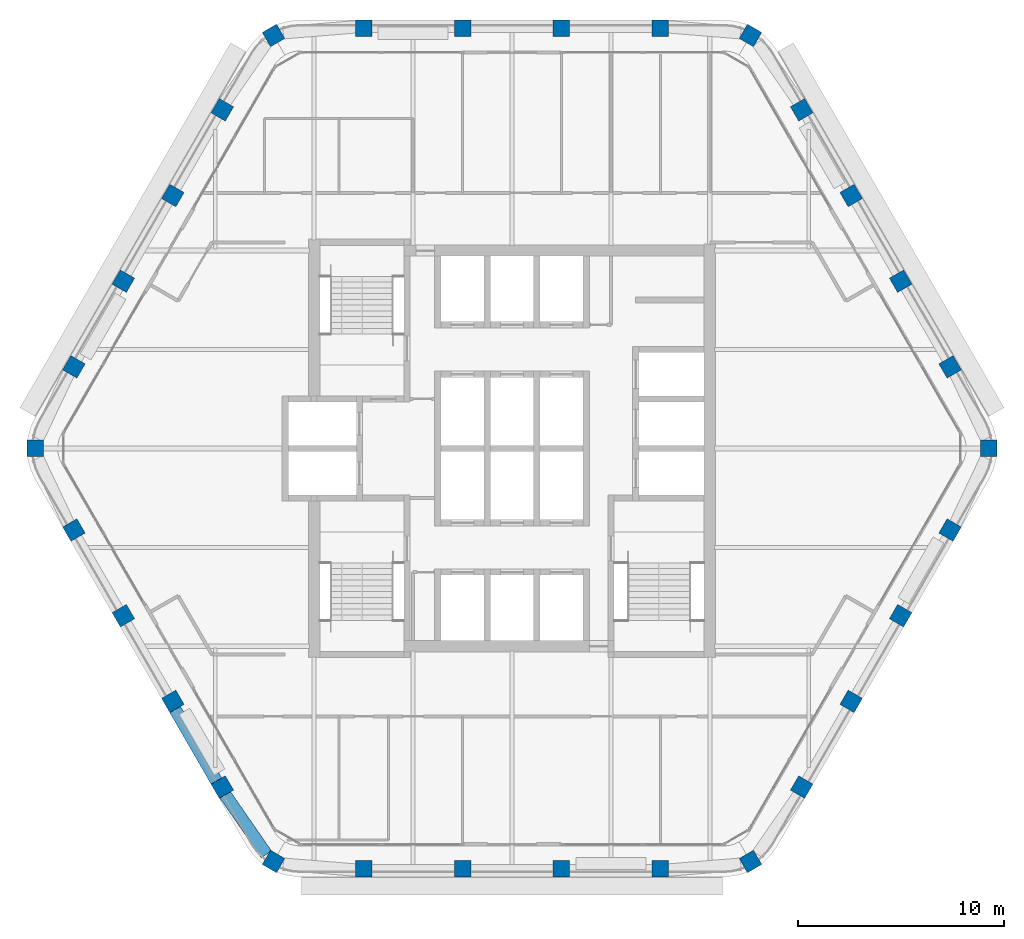
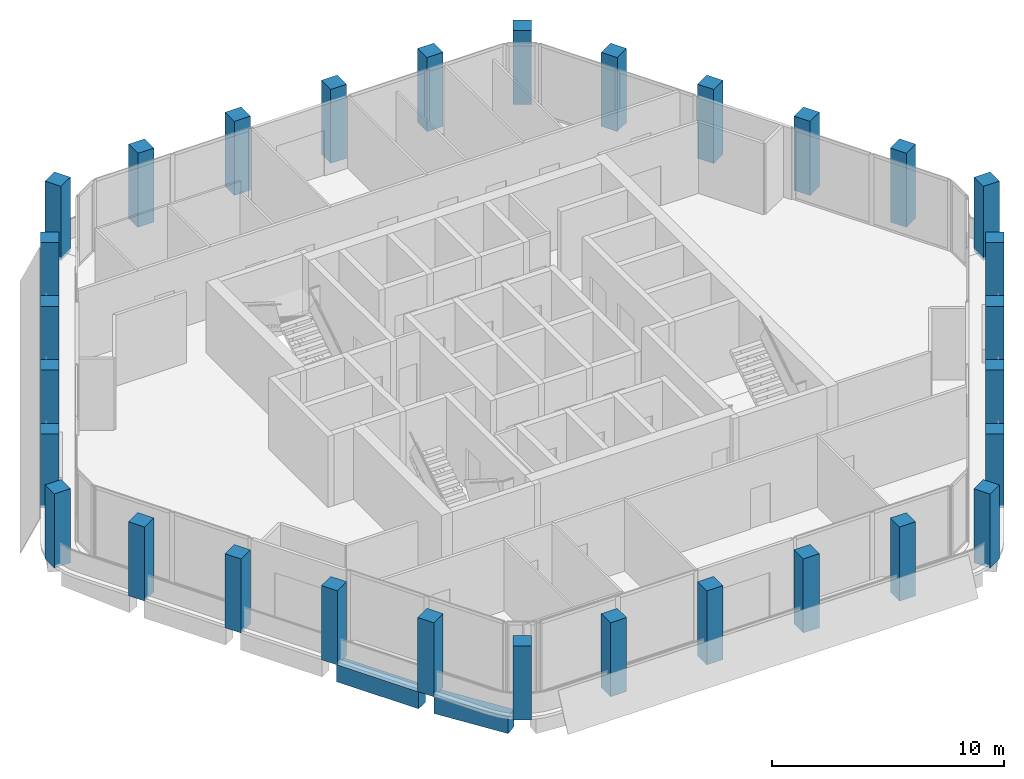
# One storey, part 1 of 13: 30 columns, 2 beams.
"""IFC4 building model written with IfcOpenShell, lengths in metres."""

from ifc_helpers import new_model, si_unit, direction, frame, origin, origin_2d, place, context, subcontext, project, spatial, rectangle, extrude, material, material_profile, profile_set, type_object, element, save


model = new_model("IFC4")

# Units and contexts
model_context = context("Model", 3, precision=1e-05, world=origin(), true_north=direction((0.0, 1.0)))
body_context = subcontext(model_context, "Body", "Model", "MODEL_VIEW")
ifc_project = project(units=[si_unit("LENGTHUNIT", "METRE"), si_unit("AREAUNIT", "SQUARE_METRE"), si_unit("VOLUMEUNIT", "CUBIC_METRE"), si_unit("PLANEANGLEUNIT", "RADIAN"), si_unit("MASSUNIT", "GRAM", prefix="KILO")], contexts=[model_context])

# Site, building, storey
site_placement = place(None, origin())
site = spatial("IfcSite", under=ifc_project, at=site_placement, CompositionType="ELEMENT")
building_placement = place(site_placement, origin())
building = spatial("IfcBuilding", under=site, at=building_placement, Name="Kolab Exchange Tower", CompositionType="ELEMENT")
storey_placement = place(building_placement, frame((0.0, 0.0, 226.699951171875)))
storey = spatial("IfcBuildingStorey", under=building, at=storey_placement, Name="L49", CompositionType="ELEMENT", Elevation=226.699951171875)

# Columns
ifc_material = material(Name="Concrete C50/60", Category="concrete")
ifc_material_profile_1 = material_profile(ifc_material, rectangle(XDim=0.800048828125, YDim=0.800048828125, at=origin_2d()), Name="RC800")
ifc_profile_set_1 = profile_set([ifc_material_profile_1], Name="Concrete C50/60")
column_type = type_object("IfcColumnType", Name="PERIMETER COLUMN 800 SQ C50/60", PredefinedType="COLUMN", material=ifc_profile_set_1)
for number, where, z_axis, x_axis, name in (
    (1, (-11.56787109375, 20.036376953125, -0.14990234375), (0.0, 0.0, 1.0), (0.866025403784, 0.5, 0.0), "col/L49/F1-01"),
    (2, (-7.199951171875, 20.384521484375, -0.14990234375), (0.0, 0.0, 1.0), (1.0, 0.0, 0.0), "col/L49/F1-02"),
    (3, (-2.39990234375, 20.384521484375, -0.14990234375), (0.0, 0.0, 1.0), (1.0, 0.0, 0.0), "col/L49/F1-03"),
    (4, (2.39990234375, 20.384521484375, -0.14990234375), (0.0, 0.0, 1.0), (1.0, 0.0, 0.0), "col/L49/F1-04"),
    (5, (7.199951171875, 20.384521484375, -0.14990234375), (0.0, 0.0, 1.0), (1.0, 0.0, 0.0), "col/L49/F1-05"),
    (6, (11.56787109375, 20.036376953125, -0.14990234375), (0.0, 0.0, 1.0), (0.5, 0.866025403784, 0.0), "col/L49/F2-01"),
    (7, (14.0537109375, 16.427734375, -0.14990234375), (0.0, 0.0, 1.0), (0.866025403784, 0.5, 0.0), "col/L49/F2-02"),
    (8, (16.45361328125, 12.270751953125, -0.14990234375), (0.0, 0.0, 1.0), (0.866025403784, 0.5, 0.0), "col/L49/F2-03"),
    (9, (18.853515625, 8.11376953125, -0.14990234375), (0.0, 0.0, 1.0), (0.866025403784, 0.5, 0.0), "col/L49/F2-04"),
    (10, (21.253662109375, 3.95703125, -0.14990234375), (0.0, 0.0, 1.0), (0.866025403784, 0.5, 0.0), "col/L49/F2-05"),
    (11, (23.135986328125, 0.0, -0.14990234375), (0.0, 0.0, 1.0), (1.0, 0.0, 0.0), "col/L49/F3-01"),
    (12, (21.253662109375, -3.95703125, -0.14990234375), (0.0, 0.0, 1.0), (0.5, 0.866025403784, 0.0), "col/L49/F3-02"),
    (13, (18.853515625, -8.11376953125, -0.14990234375), (0.0, 0.0, 1.0), (0.5, 0.866025403784, 0.0), "col/L49/F3-03"),
    (14, (16.45361328125, -12.270751953125, -0.14990234375), (0.0, 0.0, 1.0), (0.5, 0.866025403784, 0.0), "col/L49/F3-04"),
    (15, (14.0537109375, -16.427734375, -0.14990234375), (0.0, 0.0, 1.0), (0.5, 0.866025403784, 0.0), "col/L49/F3-05"),
    (16, (11.56787109375, -20.036376953125, -0.14990234375), (0.0, 0.0, 1.0), (0.866025403784, 0.5, 0.0), "col/L49/F4-01"),
    (17, (7.199951171875, -20.384521484375, -0.14990234375), (0.0, 0.0, 1.0), (1.0, 0.0, 0.0), "col/L49/F4-02"),
    (18, (2.39990234375, -20.384521484375, -0.14990234375), (0.0, 0.0, 1.0), (1.0, 0.0, 0.0), "col/L49/F4-03"),
    (19, (-2.39990234375, -20.384521484375, -0.14990234375), (0.0, 0.0, 1.0), (1.0, 0.0, 0.0), "col/L49/F4-04"),
    (20, (-7.199951171875, -20.384521484375, -0.14990234375), (0.0, 0.0, 1.0), (1.0, 0.0, 0.0), "col/L49/F4-05"),
    (21, (-11.56787109375, -20.036376953125, -0.14990234375), (0.0, 0.0, 1.0), (0.5, 0.866025403784, 0.0), "col/L49/F5-01"),
    (22, (-14.0537109375, -16.427734375, -0.14990234375), (0.0, 0.0, 1.0), (0.866025403784, 0.5, 0.0), "col/L49/F5-02"),
    (23, (-16.45361328125, -12.270751953125, -0.14990234375), (0.0, 0.0, 1.0), (0.866025403784, 0.5, 0.0), "col/L49/F5-03"),
    (24, (-18.853515625, -8.11376953125, -0.14990234375), (0.0, 0.0, 1.0), (0.866025403784, 0.5, 0.0), "col/L49/F5-04"),
    (25, (-21.253662109375, -3.95703125, -0.14990234375), (0.0, 0.0, 1.0), (0.866025403784, 0.5, 0.0), "col/L49/F5-05"),
    (26, (-23.135986328125, 0.0, -0.14990234375), (0.0, 0.0, 1.0), (1.0, 0.0, 0.0), "col/L49/F6-01"),
    (27, (-21.253662109375, 3.95703125, -0.14990234375), (0.0, 0.0, 1.0), (0.5, 0.866025403784, 0.0), "col/L49/F6-02"),
    (28, (-18.853515625, 8.11376953125, -0.14990234375), (0.0, 0.0, 1.0), (0.5, 0.866025403784, 0.0), "col/L49/F6-03"),
    (29, (-16.45361328125, 12.270751953125, -0.14990234375), (0.0, 0.0, 1.0), (0.5, 0.866025403784, 0.0), "col/L49/F6-04"),
    (30, (-14.0537109375, 16.427734375, -0.14990234375), (0.0, 0.0, 1.0), (0.5, 0.866025403784, 0.0), "col/L49/F6-05"),
):
    element("IfcColumn", number, at=place(storey_placement, frame(where, z_axis=z_axis, x_axis=x_axis)), inside=storey, type_object=column_type, Name=name, PredefinedType="COLUMN", context=body_context, shape_type="SweptSolid", body=[
        extrude(rectangle(XDim=0.800048828125, YDim=0.800048828125, at=origin_2d()), origin(), (0.0, 0.0, 1.0), 3.89990234375),
    ])

# Beams
ifc_material_profile_2 = material_profile(ifc_material, rectangle(XDim=0.60009765625, YDim=0.89990234375, at=origin_2d()), Name="RC600X900")
ifc_profile_set_2 = profile_set([ifc_material_profile_2], Name="Concrete C50/60")
beam_type = type_object("IfcBeamType", Name="SPANDREL BEAM 600X900 C50/60", PredefinedType="BEAM", material=ifc_profile_set_2)
beam_1_placement = place(storey_placement, frame((-11.915283203125, -19.693115234375, -0.599853515625), z_axis=(-0.569016782231, 0.822325909564, 0.0), x_axis=(-0.822325909564, -0.569016782231, 0.0)))
element("IfcBeam", 31, at=beam_1_placement, inside=storey, type_object=beam_type, Name="beam/L49/sp/F5-01", PredefinedType="BEAM", context=body_context, shape_type="SweptSolid", body=[
    extrude(rectangle(XDim=0.60009765625, YDim=0.89990234375, at=origin_2d()), origin(), (0.0, 0.0, 1.0), 3.548828125),
])
beam_2_placement = place(storey_placement, frame((-14.3203125, -16.166015625, -0.599853515625), z_axis=(-0.499955548806, 0.866051066172, 0.0), x_axis=(-0.866051066172, -0.499955548806, 0.0)))
element("IfcBeam", 32, at=beam_2_placement, inside=storey, type_object=beam_type, Name="beam/L49/sp/F5-02", PredefinedType="BEAM", context=body_context, shape_type="SweptSolid", body=[
    extrude(rectangle(XDim=0.60009765625, YDim=0.89990234375, at=origin_2d()), origin(), (0.0, 0.0, 1.0), 4.079833984375),
])

save(model, "model.ifc")
